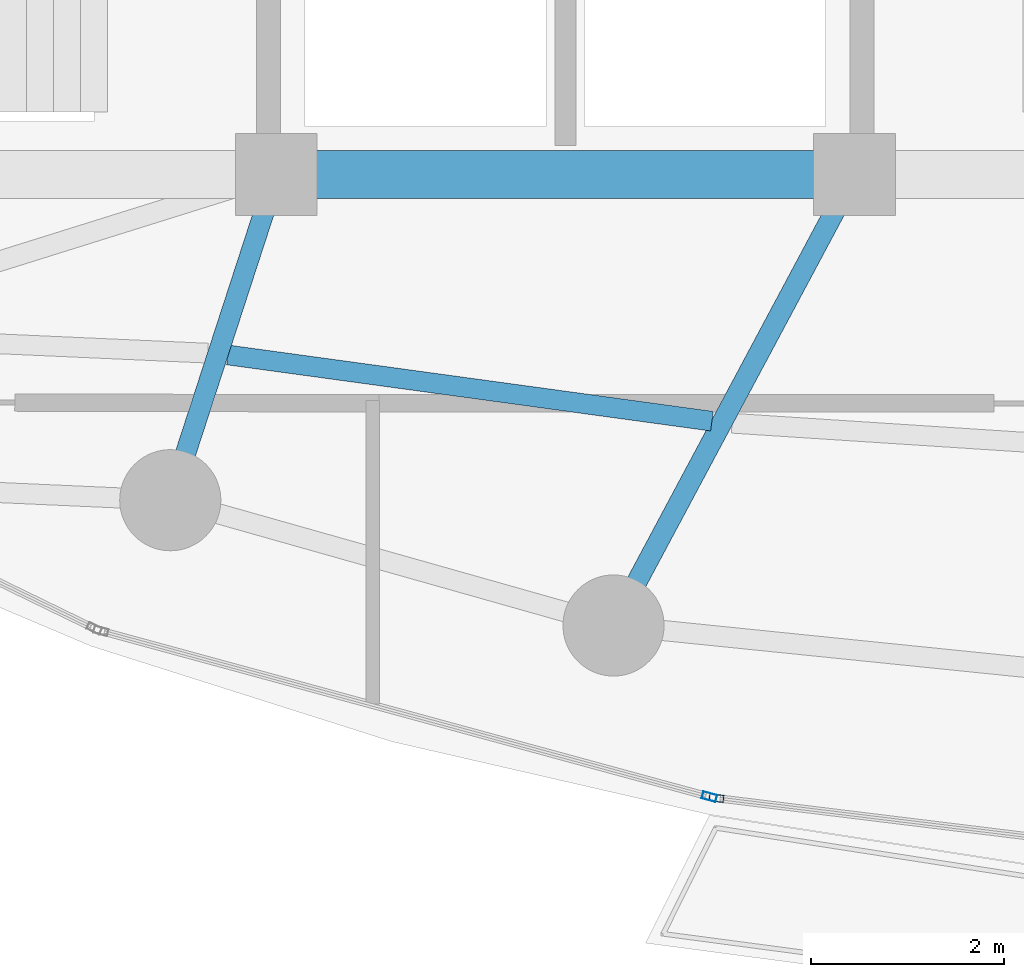
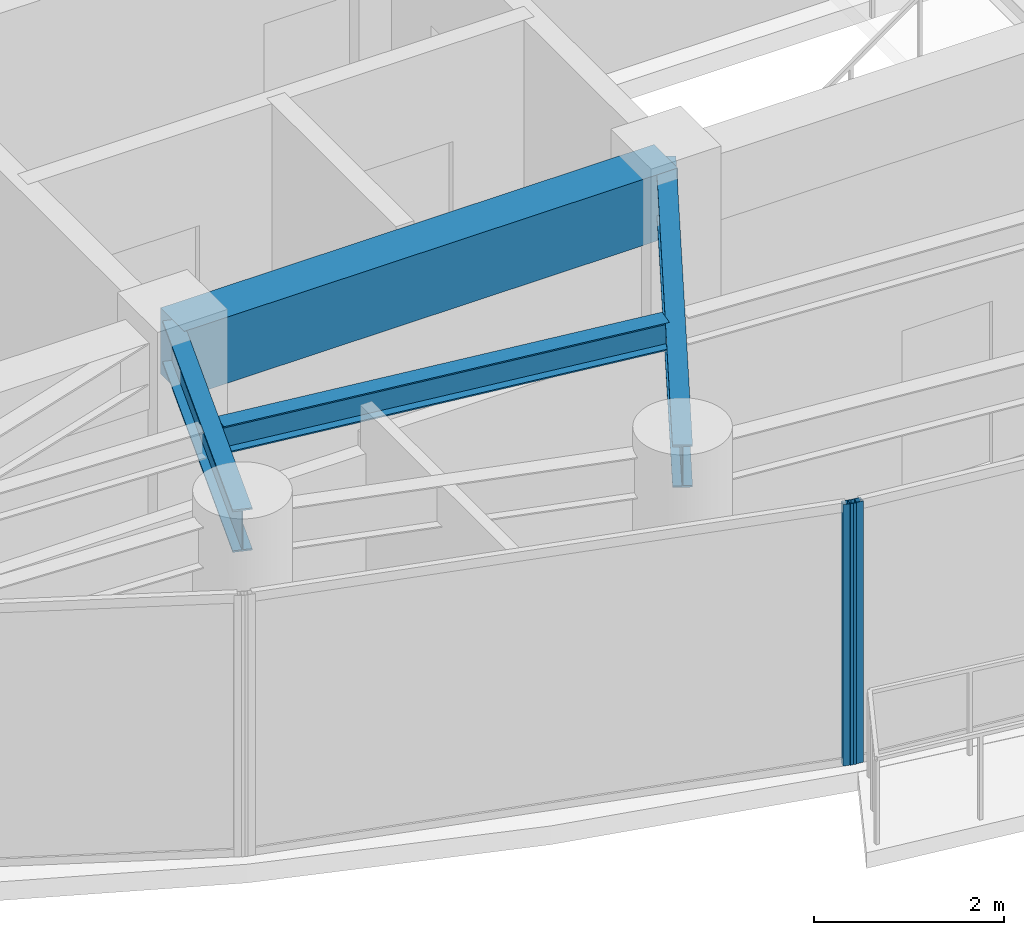
# One storey, part 5 of 31: 4 beams, 2 members, 2 elements without a shape of their own.
"""IFC4 building model written with IfcOpenShell, lengths in metres."""

from ifc_helpers import new_model, si_unit, direction, frame, origin, origin_2d, place, context, subcontext, project, spatial, rectangle, hollow_rectangle, i_section, extrude, material, layer, layer_set, material_profile, profile_set, type_object, element, aggregate, save


model = new_model("IFC4")

# Units and contexts
model_context = context("Model", 3, precision=1e-05, world=origin(), true_north=direction((0.0, 1.0)))
body_context = subcontext(model_context, "Body", "Model", "MODEL_VIEW")
ifc_project = project(units=[si_unit("LENGTHUNIT", "METRE"), si_unit("AREAUNIT", "SQUARE_METRE"), si_unit("VOLUMEUNIT", "CUBIC_METRE"), si_unit("PLANEANGLEUNIT", "RADIAN"), si_unit("MASSUNIT", "GRAM", prefix="KILO")], contexts=[model_context])

# Site, building, storey
site_placement = place(None, origin())
site = spatial("IfcSite", under=ifc_project, at=site_placement, CompositionType="ELEMENT")
building_placement = place(site_placement, origin())
building = spatial("IfcBuilding", under=site, at=building_placement, Name="Kazevale Care Tower and Concert Hall", CompositionType="ELEMENT")
storey_placement = place(building_placement, frame((0.0, 0.0, 220.800048828125)))
storey = spatial("IfcBuildingStorey", under=building, at=storey_placement, Name="L58", CompositionType="ELEMENT", Elevation=220.800048828125)

# Curtain wall, member
ifc_material_1 = material(Name="Aluminium 6063-T6 and Low-E Glass", Category="aluminium")
ifc_layer = layer(ifc_material_1, 0.179931640625)
ifc_layer_set = layer_set([ifc_layer], Name="Aluminium 6063-T6 and Low-E Glass")
curtain_wall_type = type_object("IfcCurtainWallType", Name="Sheltered Concave Balcony Curtain Wall CW-5", PredefinedType="NOTDEFINED", material=ifc_layer_set)
curtain_wall_1_placement = place(storey_placement, origin())
curtain_wall_1 = element("IfcCurtainWall", 1, at=curtain_wall_1_placement, inside=storey, type_object=curtain_wall_type, Name="cw:L58:f07", PredefinedType="NOTDEFINED")
ifc_material_2 = material(Name="Aluminium 6063-T6", Category="aluminium")
ifc_material_profile_1 = material_profile(ifc_material_2, hollow_rectangle(XDim=0.074951171875, YDim=0.14990234375, WallThickness=0.00390625, at=origin_2d()), Name="ALU75x150x4")
ifc_profile_set_1 = profile_set([ifc_material_profile_1], Name="Aluminium 6063-T6")
member_type = type_object("IfcMemberType", Name="CW-5 Mullion ALU75x150x4", PredefinedType="MULLION", material=ifc_profile_set_1)
member_1_placement = place(storey_placement, frame((34.568115234375, 17.12841796875, 0.0), z_axis=(0.0, 0.0, 1.0), x_axis=(-0.121650797964, -0.992572961225, 0.0)))
member_1 = element("IfcMember", 2, at=member_1_placement, type_object=member_type, Name="CW-5 mullion 2", PredefinedType="MULLION", context=body_context, shape_type="SweptSolid", body=[
    extrude(hollow_rectangle(XDim=0.074951171875, YDim=0.14990234375, WallThickness=0.00390625, at=origin_2d()), origin(), (0.0, 0.0, 1.0), 3.35986328125),
])
aggregate(curtain_wall_1, [member_1])

curtain_wall_2_placement = place(storey_placement, origin())
curtain_wall_2 = element("IfcCurtainWall", 3, at=curtain_wall_2_placement, inside=storey, type_object=curtain_wall_type, Name="cw:L58:f08", PredefinedType="NOTDEFINED")
member_2_placement = place(storey_placement, frame((34.494873046875, 17.142822265625, 0.0), z_axis=(0.0, 0.0, 1.0), x_axis=(-0.262848968947, -0.964836991167, 0.0)))
member_2 = element("IfcMember", 4, at=member_2_placement, type_object=member_type, Name="CW-5 mullion 1", PredefinedType="MULLION", context=body_context, shape_type="SweptSolid", body=[
    extrude(hollow_rectangle(XDim=0.074951171875, YDim=0.14990234375, WallThickness=0.00390625, at=origin_2d()), origin(), (0.0, 0.0, 1.0), 3.35986328125),
])
aggregate(curtain_wall_2, [member_2])

# Beams
ifc_material_3 = material(Name="Concrete C60", Category="concrete")
ifc_material_profile_2 = material_profile(ifc_material_3, rectangle(XDim=0.5, YDim=0.85009765625, at=origin_2d()), Name="RC-B500x850")
ifc_profile_set_2 = profile_set([ifc_material_profile_2], Name="Concrete C60")
beam_type_1 = type_object("IfcBeamType", Name="Core Coupling Beam RC500x850", PredefinedType="LINTEL", material=ifc_profile_set_2)
beam_1_placement = place(storey_placement, frame((30.0, 23.60009765625, 2.93505859375), z_axis=(1.0, 0.0, 0.0), x_axis=(0.0, 1.0, 0.0)))
element("IfcBeam", 5, at=beam_1_placement, inside=storey, type_object=beam_type_1, Name="beam:L58:coretie:2", PredefinedType="LINTEL", context=body_context, shape_type="SweptSolid", body=[
    extrude(rectangle(XDim=0.5, YDim=0.85009765625, at=origin_2d()), origin(), (0.0, 0.0, 1.0), 6.0),
])
ifc_material_4 = material(Name="Steel ASTM A572 Gr 50", Category="steel")
ifc_material_profile_3 = material_profile(ifc_material_4, i_section(OverallWidth=0.2119140625, OverallDepth=0.5439453125, WebThickness=0.01318359375, FlangeThickness=0.021240234375, at=origin_2d()), Name="W530x123")
ifc_profile_set_3 = profile_set([ifc_material_profile_3], Name="Steel ASTM A572 Gr 50")
beam_type_2 = type_object("IfcBeamType", Name="Radial Floor Girder W530x123", PredefinedType="BEAM", material=ifc_profile_set_3)
beam_2_placement = place(storey_placement, frame((30.0, 23.60009765625, 3.087890625), z_axis=(-0.309482065101, -0.950905279921, 0.0), x_axis=(0.950905279921, -0.309482065101, 0.0)))
element("IfcBeam", 6, at=beam_2_placement, inside=storey, type_object=beam_type_2, Name="beam:L58:rad:11", PredefinedType="BEAM", context=body_context, shape_type="SweptSolid", body=[
    extrude(i_section(OverallWidth=0.2119140625, OverallDepth=0.5439453125, WebThickness=0.01318359375, FlangeThickness=0.021240234375, at=origin_2d()), origin(), (0.0, 0.0, 1.0), 3.5546875),
])
beam_3_placement = place(storey_placement, frame((36.0, 23.60009765625, 3.087890625), z_axis=(-0.471161293943, -0.88204707079, 0.0), x_axis=(0.88204707079, -0.471161293943, 0.0)))
element("IfcBeam", 7, at=beam_3_placement, inside=storey, type_object=beam_type_2, Name="beam:L58:rad:12", PredefinedType="BEAM", context=body_context, shape_type="SweptSolid", body=[
    extrude(i_section(OverallWidth=0.2119140625, OverallDepth=0.5439453125, WebThickness=0.01318359375, FlangeThickness=0.021240234375, at=origin_2d()), origin(), (0.0, 0.0, 1.0), 5.30615234375),
])
ifc_material_profile_4 = material_profile(ifc_material_4, i_section(OverallWidth=0.205078125, OverallDepth=0.35400390625, WebThickness=0.009521484375, FlangeThickness=0.016845703125, at=origin_2d()), Name="W360x79")
ifc_profile_set_4 = profile_set([ifc_material_profile_4], Name="Steel ASTM A572 Gr 50")
beam_type_3 = type_object("IfcBeamType", Name="Secondary Floor Joist W360x79", PredefinedType="JOIST", material=ifc_profile_set_4)
beam_4_placement = place(storey_placement, frame((29.4990234375, 21.72705078125, 3.182861328125), z_axis=(0.990772043119, -0.13553877148, 0.0), x_axis=(0.13553877148, 0.990772043119, 0.0)))
element("IfcBeam", 8, at=beam_4_placement, inside=storey, type_object=beam_type_3, Name="beam:L58:joist:11", PredefinedType="JOIST", context=body_context, shape_type="SweptSolid", body=[
    extrude(i_section(OverallWidth=0.205078125, OverallDepth=0.35400390625, WebThickness=0.009521484375, FlangeThickness=0.016845703125, at=origin_2d()), origin(), (0.0, 0.0, 1.0), 5.06884765625),
])

save(model, "model.ifc")
